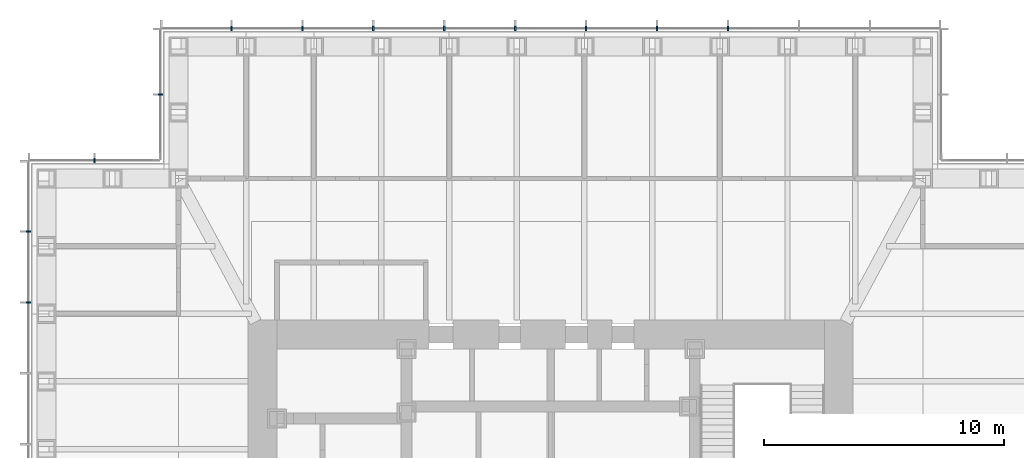
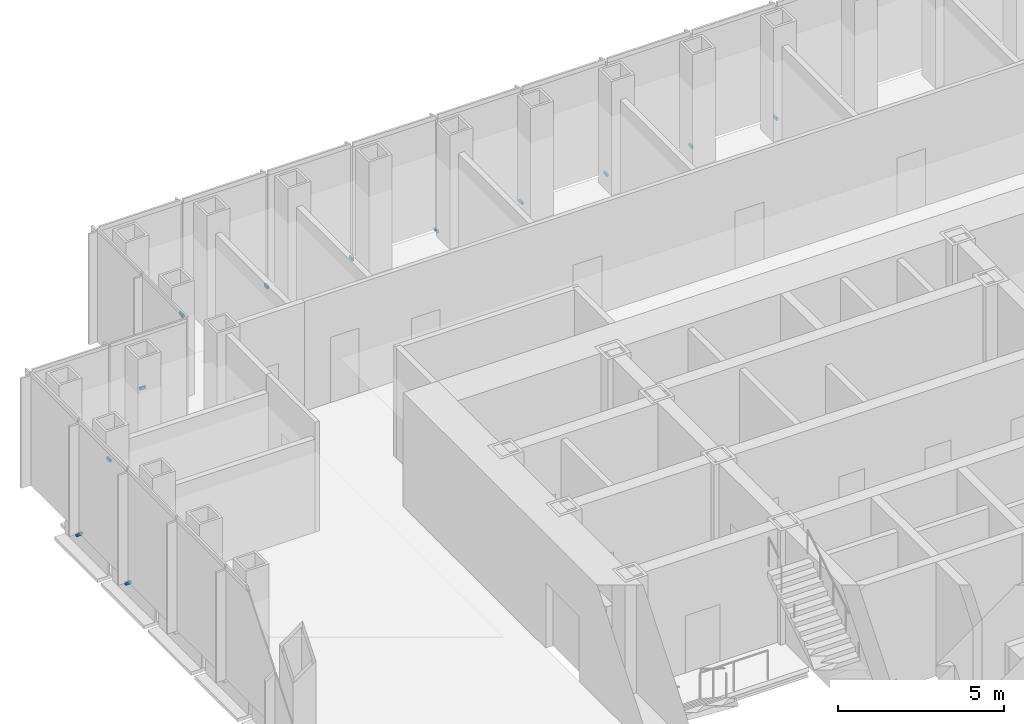
# One storey, part 15 of 17: 12 discrete accessories.
"""IFC4 building model written with IfcOpenShell, lengths in metres."""

import ifcopenshell
import ifcopenshell.guid

model = None  # the IFC model being written
_history = None  # IfcOwnerHistory: only IFC2X3 demands one
_inside = {}  # id of a spatial element -> (the spatial element, [elements in it])
_under = {}  # id of a project, library or spatial element -> (it, [spatial elements below it])
_declared = {}  # id of a project -> (the project, [libraries it declares])
_typed = {}  # id of a type object -> (the type object, [elements of that type])
_made_of = {}  # id of a material, layer set ... -> (it, [elements and type objects made of it])


def new_model(schema):
    """Start an empty IFC model of exactly this schema.

    Asked for "IFC4X3", IfcOpenShell would pick the latest addendum, in which some entities
    have other attributes; the version numbers below select the first issue.
    IFC2X3 requires an IfcOwnerHistory on every rooted entity: one is made here for all.
    """
    global model, _history
    if schema == "IFC4X3":
        model = ifcopenshell.file(schema_version=(4, 3, 0, 0))
    else:
        model = ifcopenshell.file(schema=schema)
    _inside.clear()
    _under.clear()
    _declared.clear()
    _typed.clear()
    _made_of.clear()
    _history = None
    if model.schema == "IFC2X3":
        org = make("IfcOrganization", Name="unknown")
        user = make(
            "IfcPersonAndOrganization",
            ThePerson=make("IfcPerson", FamilyName="unknown"),
            TheOrganization=org,
        )
        app = make(
            "IfcApplication",
            ApplicationDeveloper=org,
            Version="unknown",
            ApplicationFullName="unknown",
            ApplicationIdentifier="unknown",
        )
        _history = make(
            "IfcOwnerHistory",
            OwningUser=user,
            OwningApplication=app,
            ChangeAction="ADDED",
            CreationDate=0,
        )
    return model


def make(cls, **values):
    """One entity of the class cls with the attributes given. An attribute that is None is left unset."""
    return model.create_entity(
        cls, **{name: value for name, value in values.items() if value is not None}
    )


def rooted(cls, **values):
    """An entity with a GlobalId (a new one), such as an element, a storey or a relation."""
    return make(cls, GlobalId=ifcopenshell.guid.new(), OwnerHistory=_history, **values)


def si_unit(unit_type, name, prefix=None):
    """IfcSIUnit, for example si_unit("LENGTHUNIT", "METRE", prefix="MILLI")."""
    return make("IfcSIUnit", UnitType=unit_type, Prefix=prefix, Name=name)


def assignment(units):
    """IfcUnitAssignment: the units of a project."""
    return None if units is None else make("IfcUnitAssignment", Units=units)


def point(xyz):
    """IfcCartesianPoint."""
    return None if xyz is None else make("IfcCartesianPoint", Coordinates=xyz)


def direction(xyz):
    """IfcDirection."""
    return None if xyz is None else make("IfcDirection", DirectionRatios=xyz)


def frame(location, z_axis=None, x_axis=None):
    """IfcAxis2Placement3D, a coordinate frame: its origin and axes. An axis left out is left unset."""
    return make(
        "IfcAxis2Placement3D",
        Location=point(location),
        Axis=direction(z_axis),
        RefDirection=direction(x_axis),
    )


def frame_2d(location, x_axis=None):
    """IfcAxis2Placement2D, a coordinate frame in the plane: its origin and x axis."""
    return make(
        "IfcAxis2Placement2D", Location=point(location), RefDirection=direction(x_axis)
    )


def origin():
    """The frame at (0, 0, 0) with its axes left unset."""
    return frame((0.0, 0.0, 0.0))


def origin_2d():
    """The frame at (0, 0) in the plane with its x axis left unset."""
    return frame_2d((0.0, 0.0))


def place(relative_to, where):
    """IfcLocalPlacement: puts the frame where relative to a parent placement (None: the world)."""
    return make(
        "IfcLocalPlacement", PlacementRelTo=relative_to, RelativePlacement=where
    )


def context(
    kind, dimensions, precision=None, world=None, true_north=None, identifier=None
):
    """IfcGeometricRepresentationContext, for example the 3D "Model" context."""
    return make(
        "IfcGeometricRepresentationContext",
        ContextIdentifier=identifier,
        ContextType=kind,
        CoordinateSpaceDimension=dimensions,
        Precision=precision,
        WorldCoordinateSystem=world,
        TrueNorth=true_north,
    )


def subcontext(parent, identifier, kind, view, scale=None):
    """IfcGeometricRepresentationSubContext, for example "Body" below "Model"."""
    return make(
        "IfcGeometricRepresentationSubContext",
        ContextIdentifier=identifier,
        ContextType=kind,
        ParentContext=parent,
        TargetScale=scale,
        TargetView=view,
    )


def project(units=None, contexts=None):
    """IfcProject with its units and contexts."""
    return rooted(
        "IfcProject",
        Name="project",
        RepresentationContexts=contexts,
        UnitsInContext=assignment(units),
    )


def spatial(cls, under=None, at=None, **own):
    """A site, building, storey or space (cls), placed at a placement, below another one or the project."""
    s = rooted(cls, ObjectPlacement=at, **own)
    if under is not None:
        _under.setdefault(under.id(), (under, []))[1].append(s)
    return s


def profile(cls, at=None, kind="AREA", **sizes):
    """A parametric profile (cls). Its sizes go by their IFC names, for example OverallWidth=200.0."""
    return make(cls, ProfileType=kind, Position=at, **sizes)


def rectangle(**sizes):
    """IfcRectangleProfileDef."""
    return profile("IfcRectangleProfileDef", **sizes)


def extrude(swept, where, along, depth):
    """IfcExtrudedAreaSolid: the profile swept, set in the frame where, extruded along a direction by depth."""
    return make(
        "IfcExtrudedAreaSolid",
        SweptArea=swept,
        Position=where,
        ExtrudedDirection=direction(along),
        Depth=depth,
    )


def shape(context_of_items, identifier, shape_type, items):
    """IfcShapeRepresentation: the items that make up one representation, for example the "Body"."""
    return make(
        "IfcShapeRepresentation",
        ContextOfItems=context_of_items,
        RepresentationIdentifier=identifier,
        RepresentationType=shape_type,
        Items=items,
    )


def made_of(thing, what):
    """Note that an element or type object is made of a material, layer set ...; save() writes the relation."""
    if what is not None:
        _made_of.setdefault(what.id(), (what, []))[1].append(thing)
    return thing


def element(
    cls,
    number,
    at=None,
    inside=None,
    cuts=None,
    type_object=None,
    material=None,
    context=None,
    identifier="Body",
    shape_type=None,
    held_by="IfcProductDefinitionShape",
    body=None,
    shapes=None,
    **own,
):
    """One element of the class cls, such as IfcWall. Its Tag is "e" and its number.

    at: its placement. inside: the storey or other place that contains it. cuts: it is an
    opening in that element (IfcRelVoidsElement). A single representation is given by context,
    identifier, shape_type and body (its items); several are given by shapes. held_by: the class
    of the entity that holds the representations. save() writes the other relations.
    """
    e = rooted(cls, Tag="e%d" % number, ObjectPlacement=at, **own)
    if body is not None:
        shapes = [shape(context, identifier, shape_type, body)]
    if shapes is not None:
        e.Representation = make(held_by, Representations=shapes)
    if inside is not None:
        _inside.setdefault(inside.id(), (inside, []))[1].append(e)
    if cuts is not None:
        rooted(
            "IfcRelVoidsElement", RelatingBuildingElement=cuts, RelatedOpeningElement=e
        )
    if type_object is not None:
        _typed.setdefault(type_object.id(), (type_object, []))[1].append(e)
    return made_of(e, material)


def aggregate(whole, parts):
    """IfcRelAggregates: a whole, such as a stair, and the parts it consists of."""
    return rooted("IfcRelAggregates", RelatingObject=whole, RelatedObjects=parts)


def save(model, path):
    """Write the relations noted so far, then the file.

    IfcRelAggregates (storeys below a building ...), IfcRelContainedInSpatialStructure (elements
    in a storey), IfcRelDefinesByType, IfcRelAssociatesMaterial and IfcRelDeclares: one each for
    every whole, place, type object, material and project.
    """
    for whole, parts in _under.values():
        aggregate(whole, parts)
    for where, things in _inside.values():
        rooted(
            "IfcRelContainedInSpatialStructure",
            RelatedElements=things,
            RelatingStructure=where,
        )
    for kind, things in _typed.values():
        rooted("IfcRelDefinesByType", RelatedObjects=things, RelatingType=kind)
    for what, things in _made_of.values():
        rooted("IfcRelAssociatesMaterial", RelatedObjects=things, RelatingMaterial=what)
    for by, libraries in _declared.values():
        rooted("IfcRelDeclares", RelatingContext=by, RelatedDefinitions=libraries)
    model.write(path)


model = new_model("IFC4")

# Units and contexts
model_context = context("Model", 3, precision=1e-05, world=origin(), true_north=direction((0.0, 1.0)))
body_context = subcontext(model_context, "Body", "Model", "MODEL_VIEW")
ifc_project = project(units=[si_unit("LENGTHUNIT", "METRE"), si_unit("AREAUNIT", "SQUARE_METRE"), si_unit("VOLUMEUNIT", "CUBIC_METRE"), si_unit("PLANEANGLEUNIT", "RADIAN"), si_unit("MASSUNIT", "GRAM", prefix="KILO")], contexts=[model_context])

# Site, building, storey
site_placement = place(None, origin())
site = spatial("IfcSite", under=ifc_project, at=site_placement, CompositionType="ELEMENT")
building_placement = place(site_placement, origin())
building = spatial("IfcBuilding", under=site, at=building_placement, Name="Daluyong Arena Tower", CompositionType="ELEMENT")
storey_placement = place(building_placement, frame((0.0, 0.0, 223.300048828125)))
storey = spatial("IfcBuildingStorey", under=building, at=storey_placement, Name="L50", CompositionType="ELEMENT", Elevation=223.300048828125)

# Discrete accessories
for number, where, z_axis, x_axis, name in (
    (1, (63.386474609375, 101.75, -0.10009765625), (0.0, 0.0, 1.0), (-1.0, 0.0, 0.0), "curtain wall L50 N anchor bracket 4"),
    (2, (60.431884765625, 101.75, -0.10009765625), (0.0, 0.0, 1.0), (-1.0, 0.0, 0.0), "curtain wall L50 N anchor bracket 5"),
    (3, (57.477294921875, 101.75, -0.10009765625), (0.0, 0.0, 1.0), (-1.0, 0.0, 0.0), "curtain wall L50 N anchor bracket 6"),
    (4, (54.522705078125, 101.75, -0.10009765625), (0.0, 0.0, 1.0), (-1.0, 0.0, 0.0), "curtain wall L50 N anchor bracket 7"),
    (5, (51.568115234375, 101.75, -0.10009765625), (0.0, 0.0, 1.0), (-1.0, 0.0, 0.0), "curtain wall L50 N anchor bracket 8"),
    (6, (48.613525390625, 101.75, -0.10009765625), (0.0, 0.0, 1.0), (-1.0, 0.0, 0.0), "curtain wall L50 N anchor bracket 9"),
    (7, (45.6591796875, 101.75, -0.10009765625), (0.0, 0.0, 1.0), (-1.0, 0.0, 0.0), "curtain wall L50 N anchor bracket 10"),
    (8, (42.70458984375, 101.75, -0.10009765625), (0.0, 0.0, 1.0), (-1.0, 0.0, 0.0), "curtain wall L50 N anchor bracket 11"),
):
    element("IfcDiscreteAccessory", number, at=place(storey_placement, frame(where, z_axis=z_axis, x_axis=x_axis)), inside=storey, Name=name, PredefinedType="BRACKET", context=body_context, shape_type="SweptSolid", body=[
        extrude(rectangle(XDim=0.070068359375, YDim=0.199951171875, at=origin_2d()), origin(), (0.0, 0.0, 1.0), 0.10009765625),
    ])
for number, where, z_axis, x_axis, name in (
    (9, (39.75, 99.0, -0.10009765625), (0.0, 0.0, 1.0), (0.0, -1.0, 0.0), "curtain wall L50 NW-W anchor bracket 2"),
    (10, (37.0, 96.25, -0.10009765625), (0.0, 0.0, 1.0), (-1.0, 0.0, 0.0), "curtain wall L50 NW-N anchor bracket 2"),
):
    element("IfcDiscreteAccessory", number, at=place(storey_placement, frame(where, z_axis=z_axis, x_axis=x_axis)), inside=storey, Name=name, PredefinedType="BRACKET", context=body_context, shape_type="SweptSolid", body=[
        extrude(rectangle(XDim=0.06005859375, YDim=0.199951171875, at=origin_2d()), origin(), (0.0, 0.0, 1.0), 0.10009765625),
    ])
for number, where, z_axis, x_axis, name in (
    (11, (34.25, 93.29541015625, -0.10009765625), (0.0, 0.0, 1.0), (0.0, -1.0, 0.0), "curtain wall L50 W anchor bracket 2"),
    (12, (34.25, 90.3408203125, -0.10009765625), (0.0, 0.0, 1.0), (0.0, -1.0, 0.0), "curtain wall L50 W anchor bracket 3"),
):
    element("IfcDiscreteAccessory", number, at=place(storey_placement, frame(where, z_axis=z_axis, x_axis=x_axis)), inside=storey, Name=name, PredefinedType="BRACKET", context=body_context, shape_type="SweptSolid", body=[
        extrude(rectangle(XDim=0.070068359375, YDim=0.199951171875, at=origin_2d()), origin(), (0.0, 0.0, 1.0), 0.10009765625),
    ])

save(model, "model.ifc")
